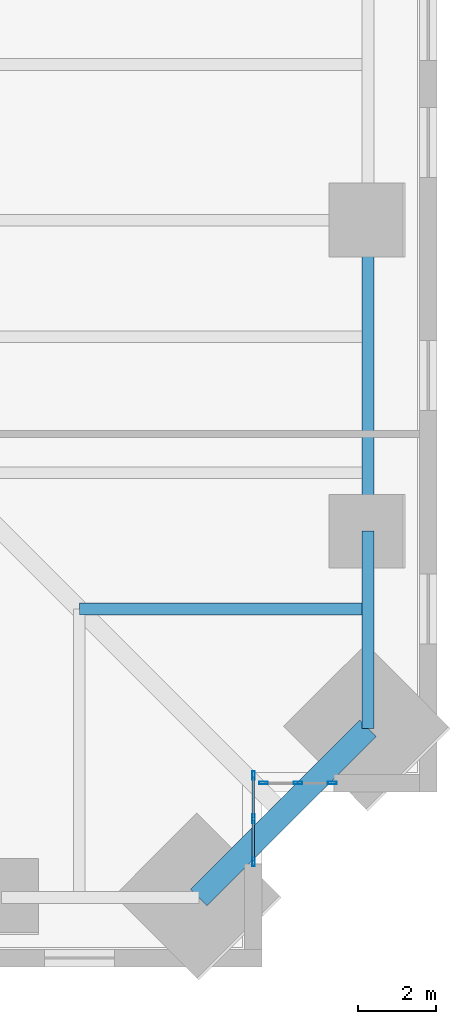
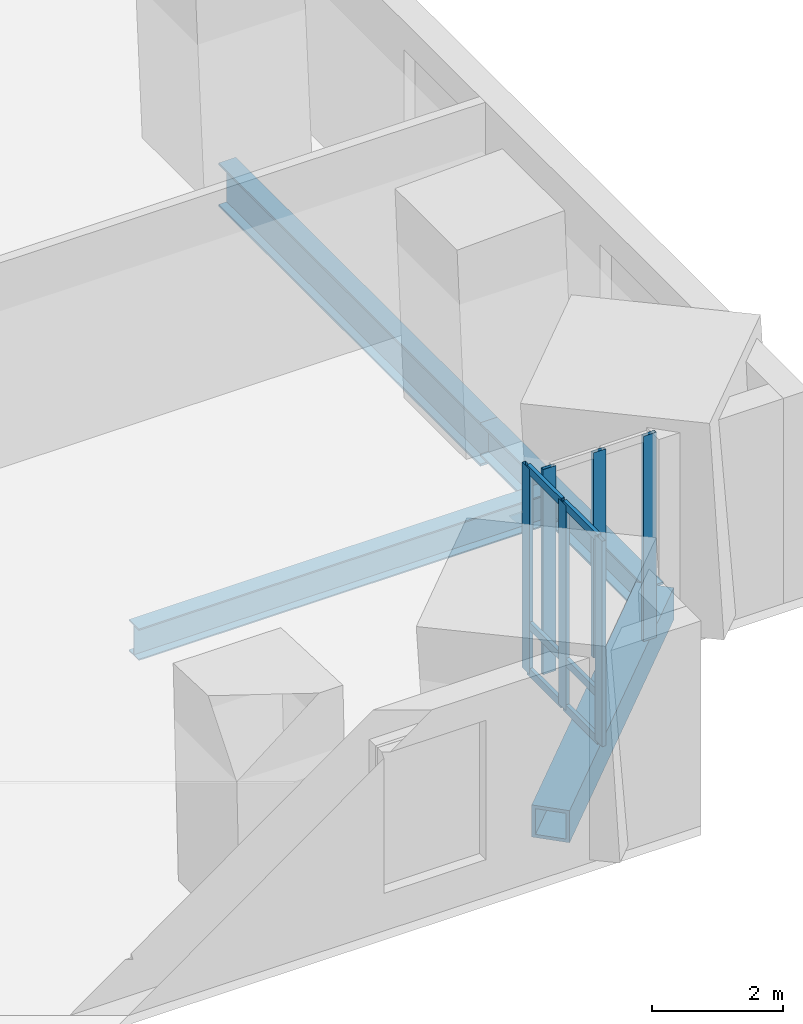
# One storey, part 4 of 16: 12 members, 4 beams, 2 elements without a shape of their own.
"""IFC4 building model written with IfcOpenShell, lengths in metres."""

import ifcopenshell
import ifcopenshell.guid

model = None  # the IFC model being written
_history = None  # IfcOwnerHistory: only IFC2X3 demands one
_inside = {}  # id of a spatial element -> (the spatial element, [elements in it])
_under = {}  # id of a project, library or spatial element -> (it, [spatial elements below it])
_declared = {}  # id of a project -> (the project, [libraries it declares])
_typed = {}  # id of a type object -> (the type object, [elements of that type])
_made_of = {}  # id of a material, layer set ... -> (it, [elements and type objects made of it])


def new_model(schema):
    """Start an empty IFC model of exactly this schema.

    Asked for "IFC4X3", IfcOpenShell would pick the latest addendum, in which some entities
    have other attributes; the version numbers below select the first issue.
    IFC2X3 requires an IfcOwnerHistory on every rooted entity: one is made here for all.
    """
    global model, _history
    if schema == "IFC4X3":
        model = ifcopenshell.file(schema_version=(4, 3, 0, 0))
    else:
        model = ifcopenshell.file(schema=schema)
    _inside.clear()
    _under.clear()
    _declared.clear()
    _typed.clear()
    _made_of.clear()
    _history = None
    if model.schema == "IFC2X3":
        org = make("IfcOrganization", Name="unknown")
        user = make(
            "IfcPersonAndOrganization",
            ThePerson=make("IfcPerson", FamilyName="unknown"),
            TheOrganization=org,
        )
        app = make(
            "IfcApplication",
            ApplicationDeveloper=org,
            Version="unknown",
            ApplicationFullName="unknown",
            ApplicationIdentifier="unknown",
        )
        _history = make(
            "IfcOwnerHistory",
            OwningUser=user,
            OwningApplication=app,
            ChangeAction="ADDED",
            CreationDate=0,
        )
    return model


def make(cls, **values):
    """One entity of the class cls with the attributes given. An attribute that is None is left unset."""
    return model.create_entity(
        cls, **{name: value for name, value in values.items() if value is not None}
    )


def rooted(cls, **values):
    """An entity with a GlobalId (a new one), such as an element, a storey or a relation."""
    return make(cls, GlobalId=ifcopenshell.guid.new(), OwnerHistory=_history, **values)


def si_unit(unit_type, name, prefix=None):
    """IfcSIUnit, for example si_unit("LENGTHUNIT", "METRE", prefix="MILLI")."""
    return make("IfcSIUnit", UnitType=unit_type, Prefix=prefix, Name=name)


def assignment(units):
    """IfcUnitAssignment: the units of a project."""
    return None if units is None else make("IfcUnitAssignment", Units=units)


def point(xyz):
    """IfcCartesianPoint."""
    return None if xyz is None else make("IfcCartesianPoint", Coordinates=xyz)


def direction(xyz):
    """IfcDirection."""
    return None if xyz is None else make("IfcDirection", DirectionRatios=xyz)


def frame(location, z_axis=None, x_axis=None):
    """IfcAxis2Placement3D, a coordinate frame: its origin and axes. An axis left out is left unset."""
    return make(
        "IfcAxis2Placement3D",
        Location=point(location),
        Axis=direction(z_axis),
        RefDirection=direction(x_axis),
    )


def frame_2d(location, x_axis=None):
    """IfcAxis2Placement2D, a coordinate frame in the plane: its origin and x axis."""
    return make(
        "IfcAxis2Placement2D", Location=point(location), RefDirection=direction(x_axis)
    )


def origin():
    """The frame at (0, 0, 0) with its axes left unset."""
    return frame((0.0, 0.0, 0.0))


def origin_2d():
    """The frame at (0, 0) in the plane with its x axis left unset."""
    return frame_2d((0.0, 0.0))


def place(relative_to, where):
    """IfcLocalPlacement: puts the frame where relative to a parent placement (None: the world)."""
    return make(
        "IfcLocalPlacement", PlacementRelTo=relative_to, RelativePlacement=where
    )


def context(
    kind, dimensions, precision=None, world=None, true_north=None, identifier=None
):
    """IfcGeometricRepresentationContext, for example the 3D "Model" context."""
    return make(
        "IfcGeometricRepresentationContext",
        ContextIdentifier=identifier,
        ContextType=kind,
        CoordinateSpaceDimension=dimensions,
        Precision=precision,
        WorldCoordinateSystem=world,
        TrueNorth=true_north,
    )


def subcontext(parent, identifier, kind, view, scale=None):
    """IfcGeometricRepresentationSubContext, for example "Body" below "Model"."""
    return make(
        "IfcGeometricRepresentationSubContext",
        ContextIdentifier=identifier,
        ContextType=kind,
        ParentContext=parent,
        TargetScale=scale,
        TargetView=view,
    )


def project(units=None, contexts=None):
    """IfcProject with its units and contexts."""
    return rooted(
        "IfcProject",
        Name="project",
        RepresentationContexts=contexts,
        UnitsInContext=assignment(units),
    )


def spatial(cls, under=None, at=None, **own):
    """A site, building, storey or space (cls), placed at a placement, below another one or the project."""
    s = rooted(cls, ObjectPlacement=at, **own)
    if under is not None:
        _under.setdefault(under.id(), (under, []))[1].append(s)
    return s


def profile(cls, at=None, kind="AREA", **sizes):
    """A parametric profile (cls). Its sizes go by their IFC names, for example OverallWidth=200.0."""
    return make(cls, ProfileType=kind, Position=at, **sizes)


def hollow_rectangle(**sizes):
    """IfcRectangleHollowProfileDef."""
    return profile("IfcRectangleHollowProfileDef", **sizes)


def i_section(**sizes):
    """IfcIShapeProfileDef."""
    return profile("IfcIShapeProfileDef", **sizes)


def extrude(swept, where, along, depth):
    """IfcExtrudedAreaSolid: the profile swept, set in the frame where, extruded along a direction by depth."""
    return make(
        "IfcExtrudedAreaSolid",
        SweptArea=swept,
        Position=where,
        ExtrudedDirection=direction(along),
        Depth=depth,
    )


def shape(context_of_items, identifier, shape_type, items):
    """IfcShapeRepresentation: the items that make up one representation, for example the "Body"."""
    return make(
        "IfcShapeRepresentation",
        ContextOfItems=context_of_items,
        RepresentationIdentifier=identifier,
        RepresentationType=shape_type,
        Items=items,
    )


def material(Name=None, Category=None):
    """IfcMaterial."""
    return make("IfcMaterial", Name=Name, Category=Category)


def material_profile(
    of_material, cross_section, Name=None, Category=None, Priority=None
):
    """IfcMaterialProfile: a cross section and its material."""
    return make(
        "IfcMaterialProfile",
        Name=Name,
        Material=of_material,
        Profile=cross_section,
        Priority=Priority,
        Category=Category,
    )


def profile_set(profiles, Name=None, composite=None):
    """IfcMaterialProfileSet."""
    return make(
        "IfcMaterialProfileSet",
        Name=Name,
        MaterialProfiles=profiles,
        CompositeProfile=composite,
    )


def made_of(thing, what):
    """Note that an element or type object is made of a material, layer set ...; save() writes the relation."""
    if what is not None:
        _made_of.setdefault(what.id(), (what, []))[1].append(thing)
    return thing


def type_object(cls, material=None, **own):
    """A type object (cls), such as IfcWallType, which elements share."""
    return made_of(rooted(cls, **own), material)


def element(
    cls,
    number,
    at=None,
    inside=None,
    cuts=None,
    type_object=None,
    material=None,
    context=None,
    identifier="Body",
    shape_type=None,
    held_by="IfcProductDefinitionShape",
    body=None,
    shapes=None,
    **own,
):
    """One element of the class cls, such as IfcWall. Its Tag is "e" and its number.

    at: its placement. inside: the storey or other place that contains it. cuts: it is an
    opening in that element (IfcRelVoidsElement). A single representation is given by context,
    identifier, shape_type and body (its items); several are given by shapes. held_by: the class
    of the entity that holds the representations. save() writes the other relations.
    """
    e = rooted(cls, Tag="e%d" % number, ObjectPlacement=at, **own)
    if body is not None:
        shapes = [shape(context, identifier, shape_type, body)]
    if shapes is not None:
        e.Representation = make(held_by, Representations=shapes)
    if inside is not None:
        _inside.setdefault(inside.id(), (inside, []))[1].append(e)
    if cuts is not None:
        rooted(
            "IfcRelVoidsElement", RelatingBuildingElement=cuts, RelatedOpeningElement=e
        )
    if type_object is not None:
        _typed.setdefault(type_object.id(), (type_object, []))[1].append(e)
    return made_of(e, material)


def aggregate(whole, parts):
    """IfcRelAggregates: a whole, such as a stair, and the parts it consists of."""
    return rooted("IfcRelAggregates", RelatingObject=whole, RelatedObjects=parts)


def save(model, path):
    """Write the relations noted so far, then the file.

    IfcRelAggregates (storeys below a building ...), IfcRelContainedInSpatialStructure (elements
    in a storey), IfcRelDefinesByType, IfcRelAssociatesMaterial and IfcRelDeclares: one each for
    every whole, place, type object, material and project.
    """
    for whole, parts in _under.values():
        aggregate(whole, parts)
    for where, things in _inside.values():
        rooted(
            "IfcRelContainedInSpatialStructure",
            RelatedElements=things,
            RelatingStructure=where,
        )
    for kind, things in _typed.values():
        rooted("IfcRelDefinesByType", RelatedObjects=things, RelatingType=kind)
    for what, things in _made_of.values():
        rooted("IfcRelAssociatesMaterial", RelatedObjects=things, RelatingMaterial=what)
    for by, libraries in _declared.values():
        rooted("IfcRelDeclares", RelatingContext=by, RelatedDefinitions=libraries)
    model.write(path)


model = new_model("IFC4")

# Units and contexts
model_context = context("Model", 3, precision=1e-05, world=origin(), true_north=direction((0.0, 1.0)))
body_context = subcontext(model_context, "Body", "Model", "MODEL_VIEW")
ifc_project = project(units=[si_unit("LENGTHUNIT", "METRE"), si_unit("AREAUNIT", "SQUARE_METRE"), si_unit("VOLUMEUNIT", "CUBIC_METRE"), si_unit("PLANEANGLEUNIT", "RADIAN"), si_unit("MASSUNIT", "GRAM", prefix="KILO")], contexts=[model_context])

# Site, building, storey
site_placement = place(None, origin())
site = spatial("IfcSite", under=ifc_project, at=site_placement, CompositionType="ELEMENT")
building_placement = place(site_placement, origin())
building = spatial("IfcBuilding", under=site, at=building_placement, Name="Peilmerk Tower", CompositionType="ELEMENT")
storey_placement = place(building_placement, frame((0.0, 0.0, 135.800048828125)))
storey = spatial("IfcBuildingStorey", under=building, at=storey_placement, Name="L27", CompositionType="ELEMENT", Elevation=135.800048828125)

# Beams
ifc_material_1 = material(Name="Steel S355", Category="steel")
ifc_material_profile_1 = material_profile(ifc_material_1, i_section(OverallWidth=0.302978515625, OverallDepth=0.81396484375, WebThickness=0.02099609375, FlangeThickness=0.0400390625, at=origin_2d()), Name="HEM 800")
ifc_profile_set_1 = profile_set([ifc_material_profile_1], Name="Steel S355")
beam_type_1 = type_object("IfcBeamType", Name="B15 HEM 800 edge beam", PredefinedType="SPANDREL", material=ifc_profile_set_1)
beam_1_placement = place(storey_placement, frame((25.4208984375, -16.0, -0.5771484375), z_axis=(0.0, 1.0, 0.0), x_axis=(-1.0, 0.0, 0.0)))
element("IfcBeam", 1, at=beam_1_placement, inside=storey, type_object=beam_type_1, Name="Edge beam L27", PredefinedType="SPANDREL", context=body_context, shape_type="SweptSolid", body=[
    extrude(i_section(OverallWidth=0.302978515625, OverallDepth=0.81396484375, WebThickness=0.02099609375, FlangeThickness=0.0400390625, at=origin_2d()), origin(), (0.0, 0.0, 1.0), 8.0),
])
ifc_material_2 = material(Name="Steel S460", Category="steel")
ifc_material_profile_2 = material_profile(ifc_material_2, hollow_rectangle(XDim=0.60009765625, YDim=0.60009765625, WallThickness=0.06005859375, at=origin_2d()), Name="BOX 600x600x60")
ifc_profile_set_2 = profile_set([ifc_material_profile_2], Name="Steel S460")
beam_type_2 = type_object("IfcBeamType", Name="B20 BOX 600x600x60 notch beam", PredefinedType="SPANDREL", material=ifc_profile_set_2)
beam_2_placement = place(storey_placement, frame((25.4208984375, -21.071044921875, -0.469970703125), z_axis=(-0.707106781187, -0.707106781187, 0.0), x_axis=(0.707106781187, -0.707106781187, 0.0)))
element("IfcBeam", 2, at=beam_2_placement, inside=storey, type_object=beam_type_2, Name="Notch beam L27", PredefinedType="SPANDREL", context=body_context, shape_type="SweptSolid", body=[
    extrude(hollow_rectangle(XDim=0.60009765625, YDim=0.60009765625, WallThickness=0.06005859375, at=origin_2d()), origin(), (0.0, 0.0, 1.0), 6.151611328125),
])
ifc_material_profile_3 = material_profile(ifc_material_1, i_section(OverallWidth=0.300048828125, OverallDepth=0.590087890625, WebThickness=0.012939453125, FlangeThickness=0.02490234375, at=origin_2d()), Name="HEA 600")
ifc_profile_set_3 = profile_set([ifc_material_profile_3], Name="Steel S355")
beam_type_3 = type_object("IfcBeamType", Name="B27 HEA 600 floor beam", PredefinedType="BEAM", material=ifc_profile_set_3)
beam_3_placement = place(storey_placement, frame((18.0, -18.0, -0.465087890625), z_axis=(1.0, 0.0, 0.0), x_axis=(0.0, 1.0, 0.0)))
element("IfcBeam", 3, at=beam_3_placement, inside=storey, type_object=beam_type_3, Name="Floor beam L27", PredefinedType="BEAM", context=body_context, shape_type="SweptSolid", body=[
    extrude(i_section(OverallWidth=0.300048828125, OverallDepth=0.590087890625, WebThickness=0.012939453125, FlangeThickness=0.02490234375, at=origin_2d()), origin(), (0.0, 0.0, 1.0), 7.4208984375),
])
ifc_material_profile_4 = material_profile(ifc_material_1, i_section(OverallWidth=0.304931640625, OverallDepth=0.6201171875, WebThickness=0.02099609375, FlangeThickness=0.0400390625, at=origin_2d()), Name="HEM 600")
ifc_profile_set_4 = profile_set([ifc_material_profile_4], Name="Steel S355")
beam_type_4 = type_object("IfcBeamType", Name="B31 HEM 600 edge beam", PredefinedType="SPANDREL", material=ifc_profile_set_4)
beam_4_placement = place(storey_placement, frame((25.4208984375, -21.071044921875, -0.47998046875), z_axis=(0.0, 1.0, 0.0), x_axis=(-1.0, 0.0, 0.0)))
element("IfcBeam", 4, at=beam_4_placement, inside=storey, type_object=beam_type_4, Name="Edge beam L27", PredefinedType="SPANDREL", context=body_context, shape_type="SweptSolid", body=[
    extrude(i_section(OverallWidth=0.304931640625, OverallDepth=0.6201171875, WebThickness=0.02099609375, FlangeThickness=0.0400390625, at=origin_2d()), origin(), (0.0, 0.0, 1.0), 5.071044921875),
])

# Curtain wall, members
ifc_material_3 = material(Name="Aluminium stick curtain wall", Category="aluminium")
curtain_wall_type = type_object("IfcCurtainWallType", Name="CW3 stick curtain wall, 2250 module", PredefinedType="NOTDEFINED", material=ifc_material_3)
curtain_wall_1_placement = place(storey_placement, origin())
curtain_wall_1 = element("IfcCurtainWall", 5, at=curtain_wall_1_placement, inside=storey, type_object=curtain_wall_type, Name="Curtain wall CW3 SEA L27", PredefinedType="NOTDEFINED")
ifc_material_4 = material(Name="Aluminium EN AW-6063 T6", Category="aluminium")
ifc_material_profile_5 = material_profile(ifc_material_4, hollow_rectangle(XDim=0.06494140625, YDim=0.22509765625, WallThickness=0.00390625, at=origin_2d()), Name="AL 225x65x4")
ifc_profile_set_5 = profile_set([ifc_material_profile_5], Name="Aluminium EN AW-6063 T6")
member_type_1 = type_object("IfcMemberType", Name="CW3-M AL 225x65x4 mullion", PredefinedType="MULLION", material=ifc_profile_set_5)
member_1_placement = place(storey_placement, frame((22.47509765625, -22.282470703125, 0.0), z_axis=(0.0, 0.0, 1.0), x_axis=(1.0, 0.0, 0.0)))
member_1 = element("IfcMember", 6, at=member_1_placement, type_object=member_type_1, Name="CW3 mullion 1", PredefinedType="MULLION", context=body_context, shape_type="SweptSolid", body=[
    extrude(hollow_rectangle(XDim=0.06494140625, YDim=0.22509765625, WallThickness=0.00390625, at=origin_2d()), origin(), (0.0, 0.0, 1.0), 3.829833984375),
])
member_2_placement = place(storey_placement, frame((22.47509765625, -23.394287109375, 0.0), z_axis=(0.0, 0.0, 1.0), x_axis=(1.0, 0.0, 0.0)))
member_2 = element("IfcMember", 7, at=member_2_placement, type_object=member_type_1, Name="CW3 mullion 2", PredefinedType="MULLION", context=body_context, shape_type="SweptSolid", body=[
    extrude(hollow_rectangle(XDim=0.06494140625, YDim=0.22509765625, WallThickness=0.00390625, at=origin_2d()), origin(), (0.0, 0.0, 1.0), 3.829833984375),
])
member_3_placement = place(storey_placement, frame((22.47509765625, -24.506103515625, 0.0), z_axis=(0.0, 0.0, 1.0), x_axis=(1.0, 0.0, 0.0)))
member_3 = element("IfcMember", 8, at=member_3_placement, type_object=member_type_1, Name="CW3 mullion 3", PredefinedType="MULLION", context=body_context, shape_type="SweptSolid", body=[
    extrude(hollow_rectangle(XDim=0.06494140625, YDim=0.22509765625, WallThickness=0.00390625, at=origin_2d()), origin(), (0.0, 0.0, 1.0), 3.829833984375),
])

curtain_wall_2_placement = place(storey_placement, origin())
curtain_wall_2 = element("IfcCurtainWall", 9, at=curtain_wall_2_placement, inside=storey, type_object=curtain_wall_type, Name="Curtain wall CW3 SEB L27", PredefinedType="NOTDEFINED")
member_4_placement = place(storey_placement, frame((22.732421875, -22.47509765625, 0.0), z_axis=(0.0, 0.0, 1.0), x_axis=(0.0, 1.0, 0.0)))
member_4 = element("IfcMember", 10, at=member_4_placement, type_object=member_type_1, Name="CW3 mullion 1", PredefinedType="MULLION", context=body_context, shape_type="SweptSolid", body=[
    extrude(hollow_rectangle(XDim=0.06494140625, YDim=0.22509765625, WallThickness=0.00390625, at=origin_2d()), origin(), (0.0, 0.0, 1.0), 3.829833984375),
])
member_5_placement = place(storey_placement, frame((23.619384765625, -22.47509765625, 0.0), z_axis=(0.0, 0.0, 1.0), x_axis=(0.0, 1.0, 0.0)))
member_5 = element("IfcMember", 11, at=member_5_placement, type_object=member_type_1, Name="CW3 mullion 2", PredefinedType="MULLION", context=body_context, shape_type="SweptSolid", body=[
    extrude(hollow_rectangle(XDim=0.06494140625, YDim=0.22509765625, WallThickness=0.00390625, at=origin_2d()), origin(), (0.0, 0.0, 1.0), 3.829833984375),
])
member_6_placement = place(storey_placement, frame((24.506103515625, -22.47509765625, 0.0), z_axis=(0.0, 0.0, 1.0), x_axis=(0.0, 1.0, 0.0)))
member_6 = element("IfcMember", 12, at=member_6_placement, type_object=member_type_1, Name="CW3 mullion 3", PredefinedType="MULLION", context=body_context, shape_type="SweptSolid", body=[
    extrude(hollow_rectangle(XDim=0.06494140625, YDim=0.22509765625, WallThickness=0.00390625, at=origin_2d()), origin(), (0.0, 0.0, 1.0), 3.829833984375),
])
aggregate(curtain_wall_2, [member_4, member_5, member_6])

# Member
ifc_material_profile_6 = material_profile(ifc_material_4, hollow_rectangle(XDim=0.06494140625, YDim=0.14990234375, WallThickness=0.0029296875, at=origin_2d()), Name="AL 150x65x3")
ifc_profile_set_6 = profile_set([ifc_material_profile_6], Name="Aluminium EN AW-6063 T6")
member_type_2 = type_object("IfcMemberType", Name="CW3-T AL 150x65x3 transom", PredefinedType="USERDEFINED", material=ifc_profile_set_6)
member_7_placement = place(storey_placement, frame((22.47509765625, -22.31494140625, 0.032470703125), z_axis=(0.0, -1.0, 0.0), x_axis=(1.0, 0.0, 0.0)))
member_7 = element("IfcMember", 13, at=member_7_placement, type_object=member_type_2, Name="CW3 transom 1.1", ObjectType="TRANSOM", PredefinedType="USERDEFINED", context=body_context, shape_type="SweptSolid", body=[
    extrude(hollow_rectangle(XDim=0.06494140625, YDim=0.14990234375, WallThickness=0.0029296875, at=origin_2d()), origin(), (0.0, 0.0, 1.0), 1.046875),
])

member_8_placement = place(storey_placement, frame((22.47509765625, -22.31494140625, 0.89990234375), z_axis=(0.0, -1.0, 0.0), x_axis=(1.0, 0.0, 0.0)))
member_8 = element("IfcMember", 14, at=member_8_placement, type_object=member_type_2, Name="CW3 transom 1.2", ObjectType="TRANSOM", PredefinedType="USERDEFINED", context=body_context, shape_type="SweptSolid", body=[
    extrude(hollow_rectangle(XDim=0.06494140625, YDim=0.14990234375, WallThickness=0.0029296875, at=origin_2d()), origin(), (0.0, 0.0, 1.0), 1.046875),
])

member_9_placement = place(storey_placement, frame((22.47509765625, -22.31494140625, 3.79736328125), z_axis=(0.0, -1.0, 0.0), x_axis=(1.0, 0.0, 0.0)))
member_9 = element("IfcMember", 15, at=member_9_placement, type_object=member_type_2, Name="CW3 transom 1.3", ObjectType="TRANSOM", PredefinedType="USERDEFINED", context=body_context, shape_type="SweptSolid", body=[
    extrude(hollow_rectangle(XDim=0.06494140625, YDim=0.14990234375, WallThickness=0.0029296875, at=origin_2d()), origin(), (0.0, 0.0, 1.0), 1.046875),
])

member_10_placement = place(storey_placement, frame((22.47509765625, -23.4267578125, 0.032470703125), z_axis=(0.0, -1.0, 0.0), x_axis=(1.0, 0.0, 0.0)))
member_10 = element("IfcMember", 16, at=member_10_placement, type_object=member_type_2, Name="CW3 transom 2.1", ObjectType="TRANSOM", PredefinedType="USERDEFINED", context=body_context, shape_type="SweptSolid", body=[
    extrude(hollow_rectangle(XDim=0.06494140625, YDim=0.14990234375, WallThickness=0.0029296875, at=origin_2d()), origin(), (0.0, 0.0, 1.0), 1.046875),
])

member_11_placement = place(storey_placement, frame((22.47509765625, -23.4267578125, 0.89990234375), z_axis=(0.0, -1.0, 0.0), x_axis=(1.0, 0.0, 0.0)))
member_11 = element("IfcMember", 17, at=member_11_placement, type_object=member_type_2, Name="CW3 transom 2.2", ObjectType="TRANSOM", PredefinedType="USERDEFINED", context=body_context, shape_type="SweptSolid", body=[
    extrude(hollow_rectangle(XDim=0.06494140625, YDim=0.14990234375, WallThickness=0.0029296875, at=origin_2d()), origin(), (0.0, 0.0, 1.0), 1.046875),
])

member_12_placement = place(storey_placement, frame((22.47509765625, -23.4267578125, 3.79736328125), z_axis=(0.0, -1.0, 0.0), x_axis=(1.0, 0.0, 0.0)))
member_12 = element("IfcMember", 18, at=member_12_placement, type_object=member_type_2, Name="CW3 transom 2.3", ObjectType="TRANSOM", PredefinedType="USERDEFINED", context=body_context, shape_type="SweptSolid", body=[
    extrude(hollow_rectangle(XDim=0.06494140625, YDim=0.14990234375, WallThickness=0.0029296875, at=origin_2d()), origin(), (0.0, 0.0, 1.0), 1.046875),
])

aggregate(curtain_wall_1, [member_1, member_2, member_3, member_7, member_8, member_9, member_10, member_11, member_12])

save(model, "model.ifc")
